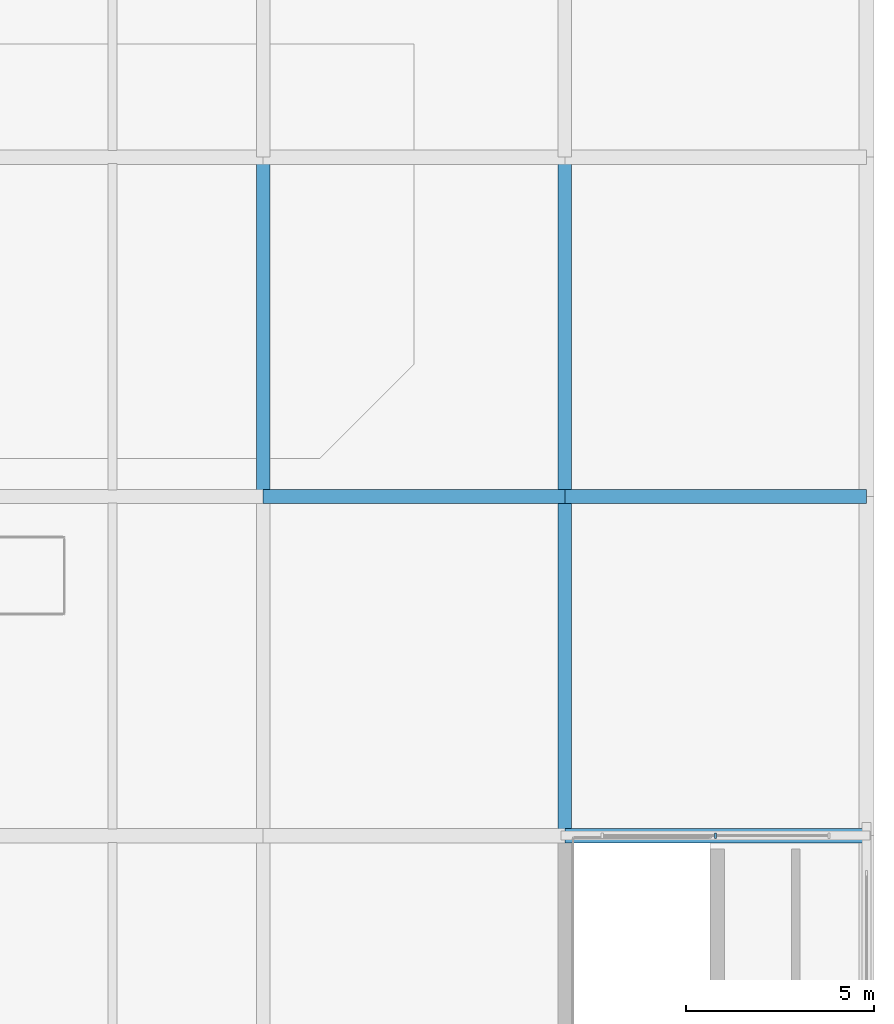
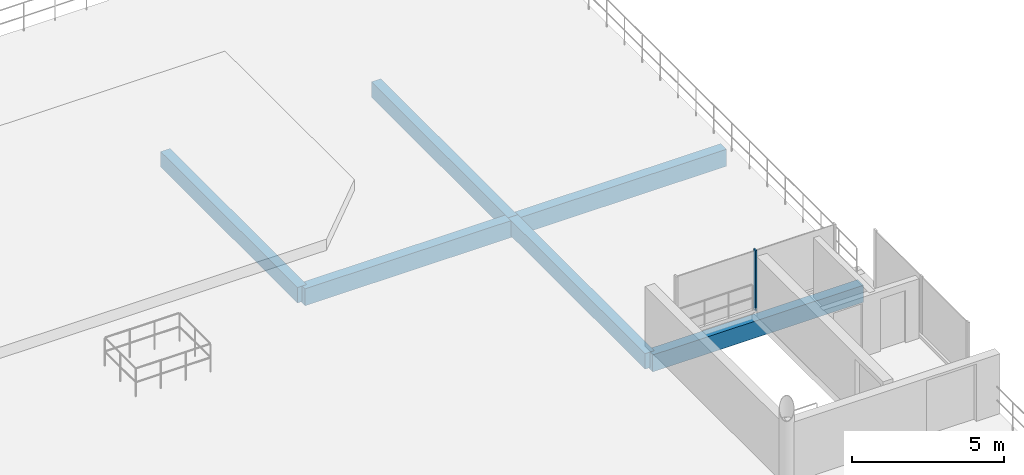
# One storey, part 18 of 52: 6 beams, 1 member, 1 element without a shape of its own.
"""IFC4 building model written with IfcOpenShell, lengths in metres."""

from ifc_helpers import new_model, si_unit, derived_unit, direction, frame, origin, origin_2d, place, context, subcontext, project, spatial, rectangle, extrude, material, layer, layer_set, material_profile, profile_set, type_object, element, aggregate, save


model = new_model("IFC4")

# Units and contexts
model_context = context("Model", 3, precision=1e-05, world=origin(), true_north=direction((0.0, 1.0)))
body_context = subcontext(model_context, "Body", "Model", "MODEL_VIEW")
ifc_project = project(units=[si_unit("LENGTHUNIT", "METRE"), si_unit("AREAUNIT", "SQUARE_METRE"), si_unit("VOLUMEUNIT", "CUBIC_METRE"), si_unit("PLANEANGLEUNIT", "RADIAN"), si_unit("MASSUNIT", "GRAM", prefix="KILO"), si_unit("THERMODYNAMICTEMPERATUREUNIT", "KELVIN"), derived_unit("THERMALTRANSMITTANCEUNIT", [(si_unit("POWERUNIT", "WATT"), 1), (si_unit("AREAUNIT", "SQUARE_METRE"), -1), (si_unit("THERMODYNAMICTEMPERATUREUNIT", "KELVIN"), -1)])], contexts=[model_context])

# Site, building, storey
site_placement = place(None, origin())
site = spatial("IfcSite", under=ifc_project, at=site_placement, CompositionType="ELEMENT")
building_placement = place(site_placement, origin())
building = spatial("IfcBuilding", under=site, at=building_placement, Name="Haiyu Intermodal Mobility Hub", CompositionType="ELEMENT")
storey_placement = place(building_placement, frame((0.0, 0.0, 21.199951171875)))
storey = spatial("IfcBuildingStorey", under=building, at=storey_placement, Name="L05", CompositionType="ELEMENT", Elevation=21.199951171875)

# Beams
ifc_material_1 = material(Name="Concrete C40", Category="concrete")
ifc_material_profile_1 = material_profile(ifc_material_1, rectangle(XDim=0.3798828125, YDim=0.679931640625, at=origin_2d()), Name="B380x680")
ifc_profile_set_1 = profile_set([ifc_material_profile_1], Name="Concrete C40")
beam_type_1 = type_object("IfcBeamType", Name="BM-CB15", PredefinedType="BEAM", material=ifc_profile_set_1)
for number, where, z_axis, x_axis, name in (
    (1, (202.0, 122.0, -0.639892578125), (1.0, 0.0, 0.0), (0.0, 1.0, 0.0), "BM-V6G-L05-036"),
    (2, (194.0, 131.0, -0.639892578125), (1.0, 0.0, 0.0), (0.0, 1.0, 0.0), "BM-V6G-L05-041"),
    (3, (202.0, 131.0, -0.639892578125), (1.0, 0.0, 0.0), (0.0, 1.0, 0.0), "BM-V6G-L05-042"),
):
    element("IfcBeam", number, at=place(storey_placement, frame(where, z_axis=z_axis, x_axis=x_axis)), inside=storey, type_object=beam_type_1, Name=name, PredefinedType="BEAM", context=body_context, shape_type="SweptSolid", body=[
        extrude(rectangle(XDim=0.3798828125, YDim=0.679931640625, at=origin_2d()), origin(), (0.0, 0.0, 1.0), 8.0),
    ])
ifc_material_profile_2 = material_profile(ifc_material_1, rectangle(XDim=0.360107421875, YDim=0.6201171875, at=origin_2d()), Name="B360x620")
ifc_profile_set_2 = profile_set([ifc_material_profile_2], Name="Concrete C40")
beam_type_2 = type_object("IfcBeamType", Name="BM-CB16", PredefinedType="BEAM", material=ifc_profile_set_2)
for number, where, z_axis, x_axis, name in (
    (4, (194.0, 131.0, -0.60986328125), (0.0, 1.0, 0.0), (-1.0, 0.0, 0.0), "BM-V6T-L05-039"),
    (5, (202.0, 122.0, -0.60986328125), (0.0, 1.0, 0.0), (-1.0, 0.0, 0.0), "BM-V6T-L05-046"),
    (6, (202.0, 131.0, -0.60986328125), (0.0, 1.0, 0.0), (-1.0, 0.0, 0.0), "BM-V6T-L05-047"),
):
    element("IfcBeam", number, at=place(storey_placement, frame(where, z_axis=z_axis, x_axis=x_axis)), inside=storey, type_object=beam_type_2, Name=name, PredefinedType="BEAM", context=body_context, shape_type="SweptSolid", body=[
        extrude(rectangle(XDim=0.360107421875, YDim=0.6201171875, at=origin_2d()), origin(), (0.0, 0.0, 1.0), 9.0),
    ])

# Curtain wall, member
ifc_material_2 = material(Name="Low-e laminated insulating glass", Category="glass")
ifc_layer = layer(ifc_material_2, 0.199951171875)
ifc_layer_set = layer_set([ifc_layer], Name="Low-e laminated insulating glass")
curtain_wall_type = type_object("IfcCurtainWallType", Name="CW-CW03", PredefinedType="NOTDEFINED", material=ifc_layer_set)
curtain_wall_placement = place(storey_placement, origin())
curtain_wall = element("IfcCurtainWall", 7, at=curtain_wall_placement, inside=storey, type_object=curtain_wall_type, Name="Curtain Wall CW-CPAR-C10-N", PredefinedType="NOTDEFINED")
ifc_material_3 = material(Name="Anodised aluminium 6063-T6", Category="aluminium")
ifc_material_profile_3 = material_profile(ifc_material_3, rectangle(XDim=0.06005859375, YDim=0.14501953125, at=origin_2d()), Name="ALU60x145")
ifc_profile_set_3 = profile_set([ifc_material_profile_3], Name="Anodised aluminium 6063-T6")
member_type = type_object("IfcMemberType", Name="CWM-ML03", PredefinedType="MULLION", material=ifc_profile_set_3)
member_placement = place(storey_placement, frame((206.0, 122.0, 0.0), z_axis=(0.0, 0.0, 1.0), x_axis=(1.0, 0.0, 0.0)))
member = element("IfcMember", 8, at=member_placement, type_object=member_type, Name="CW-CPAR-C10-N-ML02", PredefinedType="MULLION", context=body_context, shape_type="SweptSolid", body=[
    extrude(rectangle(XDim=0.06005859375, YDim=0.14501953125, at=origin_2d()), origin(), (0.0, 0.0, 1.0), 2.421142578125),
])
aggregate(curtain_wall, [member])

save(model, "model.ifc")
